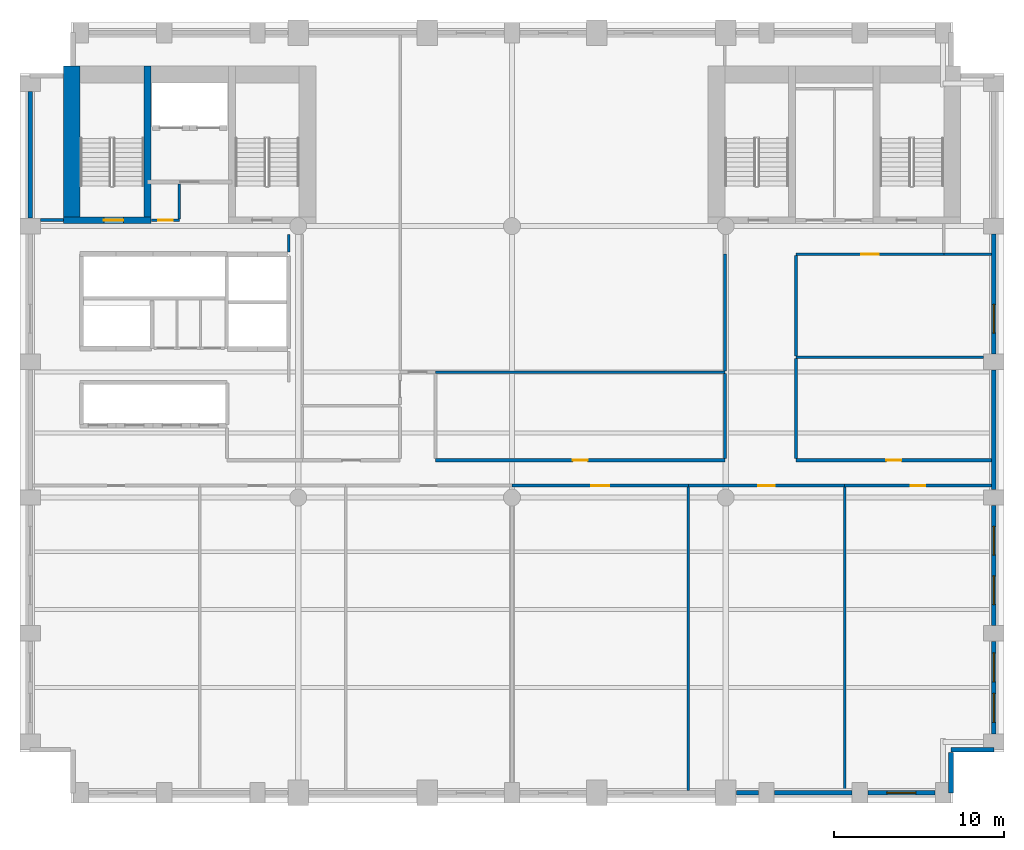
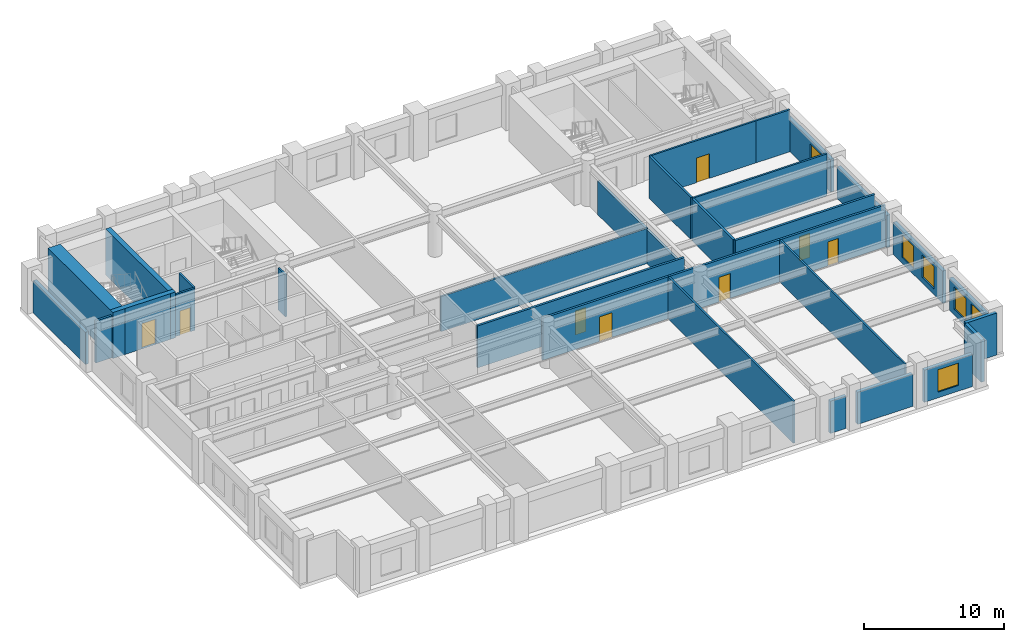
# One storey, part 4 of 8: 32 walls, 8 doors, 6 windows, 14 openings.
"""IFC4 building model written with IfcOpenShell, lengths in metres."""

from ifc_helpers import new_model, si_unit, direction, frame, frame_2d, origin, place, context, subcontext, project, spatial, rectangle, extrude, material, layer, layer_set, type_object, element, fill, save


model = new_model("IFC4")

# Units and contexts
model_context = context("Model", 3, precision=1e-05, world=origin(), true_north=direction((0.0, 1.0)))
body_context = subcontext(model_context, "Body", "Model", "MODEL_VIEW")
ifc_project = project(units=[si_unit("LENGTHUNIT", "METRE"), si_unit("AREAUNIT", "SQUARE_METRE"), si_unit("VOLUMEUNIT", "CUBIC_METRE"), si_unit("PLANEANGLEUNIT", "RADIAN"), si_unit("MASSUNIT", "GRAM", prefix="KILO")], contexts=[model_context])

# Site, building, storey
site_placement = place(None, origin())
site = spatial("IfcSite", under=ifc_project, at=site_placement, CompositionType="ELEMENT")
building_placement = place(site_placement, origin())
building = spatial("IfcBuilding", under=site, at=building_placement, Name="Sulina Concourse Tower", CompositionType="ELEMENT")
storey_placement = place(building_placement, frame((0.0, 0.0, 78.60009765625)))
storey = spatial("IfcBuildingStorey", under=building, at=storey_placement, Name="L19", CompositionType="ELEMENT", Elevation=78.60009765625)

# Walls
ifc_material_1 = material(Name="Gypsum board on steel stud", Category="steel")
ifc_layer_1 = layer(ifc_material_1, 0.14990234375)
ifc_layer_set_1 = layer_set([ifc_layer_1], Name="Gypsum board on steel stud")
wall_type_1 = type_object("IfcWallType", Name="Inter-Tenancy Acoustic Partition 150mm", PredefinedType="PARTITIONING", material=ifc_layer_set_1)
wall_1_placement = place(storey_placement, frame((24.5, 25.39990234375, 0.0), z_axis=(0.0, 0.0, 1.0), x_axis=(1.0, 0.0, 0.0)))
element("IfcWall", 1, at=wall_1_placement, inside=storey, type_object=wall_type_1, Name="L19 interior partition 013", PredefinedType="PARTITIONING", context=body_context, shape_type="SweptSolid", body=[
    extrude(rectangle(XDim=17.050048828125, YDim=0.14990234375, at=frame_2d((8.52490234375, 0.0))), origin(), (0.0, 0.0, 1.0), 3.054931640625),
])
wall_2_placement = place(storey_placement, frame((45.75, 26.27001953125, 0.0), z_axis=(0.0, 0.0, 1.0), x_axis=(1.0, 0.0, 0.0)))
element("IfcWall", 2, at=wall_2_placement, inside=storey, type_object=wall_type_1, Name="L19 interior partition 014", PredefinedType="PARTITIONING", context=body_context, shape_type="SweptSolid", body=[
    extrude(rectangle(XDim=11.050048828125, YDim=0.14990234375, at=frame_2d((5.52490234375, 0.0))), origin(), (0.0, 0.0, 1.0), 3.659912109375),
])

# Wall, opening, door
wall_3_placement = place(storey_placement, frame((45.75, 32.35009765625, 0.0), z_axis=(0.0, 0.0, 1.0), x_axis=(1.0, 0.0, 0.0)))
wall_3 = element("IfcWall", 3, at=wall_3_placement, inside=storey, type_object=wall_type_1, Name="L19 interior partition 018", PredefinedType="PARTITIONING", context=body_context, shape_type="SweptSolid", body=[
    extrude(rectangle(XDim=8.699951171875, YDim=0.14990234375, at=frame_2d((4.35009765625, 0.0))), origin(), (0.0, 0.0, 1.0), 3.659912109375),
])
opening_1_placement = place(wall_3_placement, frame((3.824951171875, 0.0, 0.0)))
opening_1 = element("IfcOpeningElement", 4, at=opening_1_placement, cuts=wall_3, Name="Opening DR-37", PredefinedType="OPENING", context=body_context, shape_type="SweptSolid", body=[
    extrude(rectangle(XDim=1.050048828125, YDim=2.14990234375, at=frame_2d((0.52490234375, 1.074951171875))), frame((0.0, 0.0849609375, 0.0), z_axis=(0.0, -1.0, 0.0), x_axis=(1.0, 0.0, 0.0)), (0.0, 0.0, 1.0), 0.169921875),
])
ifc_material_2 = material(Name="Oak-veneered fire door leaf")
ifc_layer_2 = layer(ifc_material_2, 0.050048828125)
ifc_layer_set_2 = layer_set([ifc_layer_2], Name="Oak-veneered fire door leaf")
door_type_1 = type_object("IfcDoorType", Name="Tenant Suite Entrance Fire Door 1050x2150", OperationType="NOTDEFINED", PredefinedType="DOOR", material=ifc_layer_set_2)
door_1_placement = place(opening_1_placement, origin())
door_1 = element("IfcDoor", 5, at=door_1_placement, inside=storey, type_object=door_type_1, Name="L19 interior door L19-NE2", OperationType="SINGLE_SWING_RIGHT", OverallHeight=2.14990234375, OverallWidth=1.050048828125, PredefinedType="DOOR", context=body_context, shape_type="SweptSolid", body=[
    extrude(rectangle(XDim=1.050048828125, YDim=2.14990234375, at=frame_2d((0.52490234375, 1.074951171875))), frame((0.0, 0.02490234375, 0.0), z_axis=(0.0, -1.0, 0.0), x_axis=(1.0, 0.0, 0.0)), (0.0, 0.0, 1.0), 0.050048828125),
])
fill(opening_1, door_1)

# Wall
wall_4_placement = place(storey_placement, frame((54.449951171875, 32.35009765625, 0.0), z_axis=(0.0, 0.0, 1.0), x_axis=(1.0, 0.0, 0.0)))
element("IfcWall", 6, at=wall_4_placement, inside=storey, type_object=wall_type_1, Name="L19 interior partition 019", PredefinedType="PARTITIONING", context=body_context, shape_type="SweptSolid", body=[
    extrude(rectangle(XDim=2.81005859375, YDim=0.14990234375, at=frame_2d((1.405029296875, 0.0))), origin(), (0.0, 0.0, 1.0), 3.659912109375),
])

# Wall, opening, door
wall_5_placement = place(storey_placement, frame((7.75, 34.35009765625, 0.0), z_axis=(0.0, 0.0, 1.0), x_axis=(1.0, 0.0, 0.0)))
wall_5 = element("IfcWall", 7, at=wall_5_placement, inside=storey, type_object=wall_type_1, Name="L19 interior partition 021", PredefinedType="PARTITIONING", context=body_context, shape_type="SweptSolid", body=[
    extrude(rectangle(XDim=1.64990234375, YDim=0.14990234375, at=frame_2d((0.824951171875, 0.0))), origin(), (0.0, 0.0, 1.0), 3.659912109375),
])
opening_2_placement = place(wall_5_placement, frame((0.385009765625, 0.0, 0.0)))
opening_2 = element("IfcOpeningElement", 8, at=opening_2_placement, cuts=wall_5, Name="Opening DR-38", PredefinedType="OPENING", context=body_context, shape_type="SweptSolid", body=[
    extrude(rectangle(XDim=0.8798828125, YDim=2.10009765625, at=frame_2d((0.43994140625, 1.050048828125))), frame((0.0, 0.0849609375, 0.0), z_axis=(0.0, -1.0, 0.0), x_axis=(1.0, 0.0, 0.0)), (0.0, 0.0, 1.0), 0.169921875),
])
ifc_material_3 = material(Name="Galvanised steel acoustic fire leaf", Category="steel")
ifc_layer_3 = layer(ifc_material_3, 0.050048828125)
ifc_layer_set_3 = layer_set([ifc_layer_3], Name="Galvanised steel acoustic fire leaf")
door_type_2 = type_object("IfcDoorType", Name="Service Riser Fire Door 880x2100", OperationType="NOTDEFINED", PredefinedType="DOOR", material=ifc_layer_set_3)
door_2_placement = place(opening_2_placement, origin())
door_2 = element("IfcDoor", 9, at=door_2_placement, inside=storey, type_object=door_type_2, Name="L19 interior door L19-CLN-N", OperationType="SINGLE_SWING_LEFT", OverallHeight=2.10009765625, OverallWidth=0.8798828125, PredefinedType="DOOR", context=body_context, shape_type="SweptSolid", body=[
    extrude(rectangle(XDim=0.8798828125, YDim=2.10009765625, at=frame_2d((0.43994140625, 1.050048828125))), frame((0.0, 0.02490234375, 0.0), z_axis=(0.0, -1.0, 0.0), x_axis=(1.0, 0.0, 0.0)), (0.0, 0.0, 1.0), 0.050048828125),
])
fill(opening_2, door_2)

# Walls
wall_6_placement = place(storey_placement, frame((9.39990234375, 34.425048828125, 0.0), z_axis=(0.0, 0.0, 1.0), x_axis=(0.0, 1.0, 0.0)))
element("IfcWall", 10, at=wall_6_placement, inside=storey, type_object=wall_type_1, Name="L19 interior partition 025", PredefinedType="PARTITIONING", context=body_context, shape_type="SweptSolid", body=[
    extrude(rectangle(XDim=2.06494140625, YDim=0.14990234375, at=frame_2d((1.032470703125, 0.0))), origin(), (0.0, 0.0, 1.0), 3.659912109375),
])
wall_7_placement = place(storey_placement, frame((15.85009765625, 32.469970703125, 0.0), z_axis=(0.0, 0.0, 1.0), x_axis=(0.0, 1.0, 0.0)))
element("IfcWall", 11, at=wall_7_placement, inside=storey, type_object=wall_type_1, Name="L19 interior partition 030", PredefinedType="PARTITIONING", context=body_context, shape_type="SweptSolid", body=[
    extrude(rectangle(XDim=1.030029296875, YDim=0.14990234375, at=frame_2d((0.51513671875, 0.0))), origin(), (0.0, 0.0, 1.0), 3.659912109375),
])
for number, where, z_axis, x_axis, name in (
    (12, (39.39990234375, 0.739990234375, 0.0), (0.0, 0.0, 1.0), (0.0, 1.0, 0.0), "L19 interior partition 039"),
    (13, (48.60009765625, 0.739990234375, 0.0), (0.0, 0.0, 1.0), (0.0, 1.0, 0.0), "L19 interior partition 047"),
):
    element("IfcWall", number, at=place(storey_placement, frame(where, z_axis=z_axis, x_axis=x_axis)), inside=storey, type_object=wall_type_1, Name=name, PredefinedType="PARTITIONING", context=body_context, shape_type="SweptSolid", body=[
        extrude(rectangle(XDim=17.8701171875, YDim=0.14990234375, at=frame_2d((8.93505859375, 0.0))), origin(), (0.0, 0.0, 1.0), 3.659912109375),
    ])

# Wall, opening, door
ifc_material_4 = material(Name="Gypsum board on steel stud", Category="steel")
ifc_layer_4 = layer(ifc_material_4, 0.179931640625)
ifc_layer_set_4 = layer_set([ifc_layer_4], Name="Gypsum board on steel stud")
wall_type_2 = type_object("IfcWallType", Name="Protected Corridor & Riser Partition 180mm", PredefinedType="PARTITIONING", material=ifc_layer_set_4)
wall_8_placement = place(storey_placement, frame((29.0, 18.699951171875, 0.0), z_axis=(0.0, 0.0, 1.0), x_axis=(1.0, 0.0, 0.0)))
wall_8 = element("IfcWall", 14, at=wall_8_placement, inside=storey, type_object=wall_type_2, Name="L19 interior partition 004", PredefinedType="PARTITIONING", context=body_context, shape_type="SweptSolid", body=[
    extrude(rectangle(XDim=10.39990234375, YDim=0.179931640625, at=frame_2d((5.199951171875, 0.0))), origin(), (0.0, 0.0, 1.0), 3.659912109375),
])
opening_3_placement = place(wall_8_placement, frame((4.675048828125, 0.0, 0.0)))
opening_3 = element("IfcOpeningElement", 15, at=opening_3_placement, cuts=wall_8, Name="Opening DR-37", PredefinedType="OPENING", context=body_context, shape_type="SweptSolid", body=[
    extrude(rectangle(XDim=1.050048828125, YDim=2.14990234375, at=frame_2d((0.52490234375, 1.074951171875))), frame((0.0, 0.099853515625, 0.0), z_axis=(0.0, -1.0, 0.0), x_axis=(1.0, 0.0, 0.0)), (0.0, 0.0, 1.0), 0.199951171875),
])
door_3_placement = place(opening_3_placement, origin())
door_3 = element("IfcDoor", 16, at=door_3_placement, inside=storey, type_object=door_type_1, Name="L19 interior door L19-S04", OperationType="SINGLE_SWING_RIGHT", OverallHeight=2.14990234375, OverallWidth=1.050048828125, PredefinedType="DOOR", context=body_context, shape_type="SweptSolid", body=[
    extrude(rectangle(XDim=1.050048828125, YDim=2.14990234375, at=frame_2d((0.52490234375, 1.074951171875))), frame((0.0, 0.02490234375, 0.0), z_axis=(0.0, -1.0, 0.0), x_axis=(1.0, 0.0, 0.0)), (0.0, 0.0, 1.0), 0.050048828125),
])
fill(opening_3, door_3)

wall_9_placement = place(storey_placement, frame((39.39990234375, 18.699951171875, 0.0), z_axis=(0.0, 0.0, 1.0), x_axis=(1.0, 0.0, 0.0)))
wall_9 = element("IfcWall", 17, at=wall_9_placement, inside=storey, type_object=wall_type_2, Name="L19 interior partition 005", PredefinedType="PARTITIONING", context=body_context, shape_type="SweptSolid", body=[
    extrude(rectangle(XDim=9.2001953125, YDim=0.179931640625, at=frame_2d((4.60009765625, 0.0))), origin(), (0.0, 0.0, 1.0), 3.659912109375),
])
opening_4_placement = place(wall_9_placement, frame((4.125, 0.0, 0.0)))
opening_4 = element("IfcOpeningElement", 18, at=opening_4_placement, cuts=wall_9, Name="Opening DR-19", PredefinedType="OPENING", context=body_context, shape_type="SweptSolid", body=[
    extrude(rectangle(XDim=0.949951171875, YDim=2.14990234375, at=frame_2d((0.47509765625, 1.074951171875))), frame((0.0, 0.099853515625, 0.0), z_axis=(0.0, -1.0, 0.0), x_axis=(1.0, 0.0, 0.0)), (0.0, 0.0, 1.0), 0.199951171875),
])
ifc_material_5 = material(Name="Oak-veneered acoustic timber leaf", Category="wood")
ifc_layer_5 = layer(ifc_material_5, 0.050048828125)
ifc_layer_set_5 = layer_set([ifc_layer_5], Name="Oak-veneered acoustic timber leaf")
door_type_3 = type_object("IfcDoorType", Name="Cellular Office & Meeting Door 950x2150", OperationType="NOTDEFINED", PredefinedType="DOOR", material=ifc_layer_set_5)
door_4_placement = place(opening_4_placement, origin())
door_4 = element("IfcDoor", 19, at=door_4_placement, inside=storey, type_object=door_type_3, Name="L19 interior door L19-S05", OperationType="SINGLE_SWING_LEFT", OverallHeight=2.14990234375, OverallWidth=0.949951171875, PredefinedType="DOOR", context=body_context, shape_type="SweptSolid", body=[
    extrude(rectangle(XDim=0.949951171875, YDim=2.14990234375, at=frame_2d((0.47509765625, 1.074951171875))), frame((0.0, 0.02490234375, 0.0), z_axis=(0.0, -1.0, 0.0), x_axis=(1.0, 0.0, 0.0)), (0.0, 0.0, 1.0), 0.050048828125),
])
fill(opening_4, door_4)

wall_10_placement = place(storey_placement, frame((48.60009765625, 18.699951171875, 0.0), z_axis=(0.0, 0.0, 1.0), x_axis=(1.0, 0.0, 0.0)))
wall_10 = element("IfcWall", 20, at=wall_10_placement, inside=storey, type_object=wall_type_2, Name="L19 interior partition 006", PredefinedType="PARTITIONING", context=body_context, shape_type="SweptSolid", body=[
    extrude(rectangle(XDim=8.659912109375, YDim=0.179931640625, at=frame_2d((4.330078125, 0.0))), origin(), (0.0, 0.0, 1.0), 3.659912109375),
])
opening_5_placement = place(wall_10_placement, frame((3.889892578125, 0.0, 0.0)))
opening_5 = element("IfcOpeningElement", 21, at=opening_5_placement, cuts=wall_10, Name="Opening DR-38", PredefinedType="OPENING", context=body_context, shape_type="SweptSolid", body=[
    extrude(rectangle(XDim=0.8798828125, YDim=2.10009765625, at=frame_2d((0.43994140625, 1.050048828125))), frame((0.0, 0.099853515625, 0.0), z_axis=(0.0, -1.0, 0.0), x_axis=(1.0, 0.0, 0.0)), (0.0, 0.0, 1.0), 0.199951171875),
])
door_5_placement = place(opening_5_placement, origin())
door_5 = element("IfcDoor", 22, at=door_5_placement, inside=storey, type_object=door_type_2, Name="L19 interior door L19-S06", OperationType="SINGLE_SWING_RIGHT", OverallHeight=2.10009765625, OverallWidth=0.8798828125, PredefinedType="DOOR", context=body_context, shape_type="SweptSolid", body=[
    extrude(rectangle(XDim=0.8798828125, YDim=2.10009765625, at=frame_2d((0.43994140625, 1.050048828125))), frame((0.0, 0.02490234375, 0.0), z_axis=(0.0, -1.0, 0.0), x_axis=(1.0, 0.0, 0.0)), (0.0, 0.0, 1.0), 0.050048828125),
])
fill(opening_5, door_5)

wall_11_placement = place(storey_placement, frame((24.5, 20.199951171875, 0.0), z_axis=(0.0, 0.0, 1.0), x_axis=(1.0, 0.0, 0.0)))
wall_11 = element("IfcWall", 23, at=wall_11_placement, inside=storey, type_object=wall_type_2, Name="L19 interior partition 009", PredefinedType="PARTITIONING", context=body_context, shape_type="SweptSolid", body=[
    extrude(rectangle(XDim=17.050048828125, YDim=0.179931640625, at=frame_2d((8.52490234375, 0.0))), origin(), (0.0, 0.0, 1.0), 3.659912109375),
])
opening_6_placement = place(wall_11_placement, frame((8.0849609375, 0.0, 0.0)))
opening_6 = element("IfcOpeningElement", 24, at=opening_6_placement, cuts=wall_11, Name="Opening DR-38", PredefinedType="OPENING", context=body_context, shape_type="SweptSolid", body=[
    extrude(rectangle(XDim=0.8798828125, YDim=2.10009765625, at=frame_2d((0.43994140625, 1.050048828125))), frame((0.0, 0.099853515625, 0.0), z_axis=(0.0, -1.0, 0.0), x_axis=(1.0, 0.0, 0.0)), (0.0, 0.0, 1.0), 0.199951171875),
])
door_6_placement = place(opening_6_placement, origin())
door_6 = element("IfcDoor", 25, at=door_6_placement, inside=storey, type_object=door_type_2, Name="L19 interior door L19-NC3", OperationType="SINGLE_SWING_RIGHT", OverallHeight=2.10009765625, OverallWidth=0.8798828125, PredefinedType="DOOR", context=body_context, shape_type="SweptSolid", body=[
    extrude(rectangle(XDim=0.8798828125, YDim=2.10009765625, at=frame_2d((0.43994140625, 1.050048828125))), frame((0.0, 0.02490234375, 0.0), z_axis=(0.0, -1.0, 0.0), x_axis=(1.0, 0.0, 0.0)), (0.0, 0.0, 1.0), 0.050048828125),
])
fill(opening_6, door_6)

wall_12_placement = place(storey_placement, frame((45.75, 20.199951171875, 0.0), z_axis=(0.0, 0.0, 1.0), x_axis=(1.0, 0.0, 0.0)))
wall_12 = element("IfcWall", 26, at=wall_12_placement, inside=storey, type_object=wall_type_2, Name="L19 interior partition 010", PredefinedType="PARTITIONING", context=body_context, shape_type="SweptSolid", body=[
    extrude(rectangle(XDim=11.510009765625, YDim=0.179931640625, at=frame_2d((5.7548828125, 0.0))), origin(), (0.0, 0.0, 1.0), 3.659912109375),
])
opening_7_placement = place(wall_12_placement, frame((5.31494140625, 0.0, 0.0)))
opening_7 = element("IfcOpeningElement", 27, at=opening_7_placement, cuts=wall_12, Name="Opening DR-38", PredefinedType="OPENING", context=body_context, shape_type="SweptSolid", body=[
    extrude(rectangle(XDim=0.8798828125, YDim=2.10009765625, at=frame_2d((0.43994140625, 1.050048828125))), frame((0.0, 0.099853515625, 0.0), z_axis=(0.0, -1.0, 0.0), x_axis=(1.0, 0.0, 0.0)), (0.0, 0.0, 1.0), 0.199951171875),
])
door_7_placement = place(opening_7_placement, origin())
door_7 = element("IfcDoor", 28, at=door_7_placement, inside=storey, type_object=door_type_2, Name="L19 interior door L19-NE1", OperationType="SINGLE_SWING_LEFT", OverallHeight=2.10009765625, OverallWidth=0.8798828125, PredefinedType="DOOR", context=body_context, shape_type="SweptSolid", body=[
    extrude(rectangle(XDim=0.8798828125, YDim=2.10009765625, at=frame_2d((0.43994140625, 1.050048828125))), frame((0.0, 0.02490234375, 0.0), z_axis=(0.0, -1.0, 0.0), x_axis=(1.0, 0.0, 0.0)), (0.0, 0.0, 1.0), 0.050048828125),
])
fill(opening_7, door_7)

# Walls
wall_13_placement = place(storey_placement, frame((1.199951171875, 34.35009765625, 0.0), z_axis=(0.0, 0.0, 1.0), x_axis=(1.0, 0.0, 0.0)))
element("IfcWall", 29, at=wall_13_placement, inside=storey, type_object=wall_type_2, Name="L19 interior partition 020", PredefinedType="PARTITIONING", context=body_context, shape_type="SweptSolid", body=[
    extrude(rectangle(XDim=1.35009765625, YDim=0.179931640625, at=frame_2d((0.675048828125, 0.0))), origin(), (0.0, 0.0, 1.0), 3.659912109375),
])
wall_14_placement = place(storey_placement, frame((41.550048828125, 20.2900390625, 0.0), z_axis=(0.0, 0.0, 1.0), x_axis=(0.0, 1.0, 0.0)))
element("IfcWall", 30, at=wall_14_placement, inside=storey, type_object=wall_type_2, Name="L19 interior partition 040", PredefinedType="PARTITIONING", context=body_context, shape_type="SweptSolid", body=[
    extrude(rectangle(XDim=5.034912109375, YDim=0.179931640625, at=frame_2d((2.517578125, 0.0))), origin(), (0.0, 0.0, 1.0), 2.954833984375),
])
wall_15_placement = place(storey_placement, frame((41.550048828125, 25.47509765625, 0.0), z_axis=(0.0, 0.0, 1.0), x_axis=(0.0, 1.0, 0.0)))
element("IfcWall", 31, at=wall_15_placement, inside=storey, type_object=wall_type_2, Name="L19 interior partition 041", PredefinedType="PARTITIONING", context=body_context, shape_type="SweptSolid", body=[
    extrude(rectangle(XDim=6.875, YDim=0.179931640625, at=frame_2d((3.4375, 0.0))), origin(), (0.0, 0.0, 1.0), 2.954833984375),
])
wall_16_placement = place(storey_placement, frame((45.75, 20.2900390625, 0.0), z_axis=(0.0, 0.0, 1.0), x_axis=(0.0, 1.0, 0.0)))
element("IfcWall", 32, at=wall_16_placement, inside=storey, type_object=wall_type_2, Name="L19 interior partition 044", PredefinedType="PARTITIONING", context=body_context, shape_type="SweptSolid", body=[
    extrude(rectangle(XDim=5.905029296875, YDim=0.179931640625, at=frame_2d((2.95263671875, 0.0))), origin(), (0.0, 0.0, 1.0), 3.659912109375),
])
wall_17_placement = place(storey_placement, frame((45.75, 26.344970703125, 0.0), z_axis=(0.0, 0.0, 1.0), x_axis=(0.0, 1.0, 0.0)))
element("IfcWall", 33, at=wall_17_placement, inside=storey, type_object=wall_type_2, Name="L19 interior partition 045", PredefinedType="PARTITIONING", context=body_context, shape_type="SweptSolid", body=[
    extrude(rectangle(XDim=5.929931640625, YDim=0.179931640625, at=frame_2d((2.96484375, 0.0))), origin(), (0.0, 0.0, 1.0), 3.659912109375),
])

# Wall, opening, door
ifc_material_6 = material(Name="Concrete C60/75", Category="concrete")
ifc_layer_6 = layer(ifc_material_6, 0.39990234375)
ifc_layer_set_6 = layer_set([ifc_layer_6], Name="Concrete C60/75")
wall_type_3 = type_object("IfcWallType", Name="Protected Stair Core Shear Wall 400mm", PredefinedType="SHEAR", material=ifc_layer_set_6)
wall_18_placement = place(storey_placement, frame((2.550048828125, 34.35009765625, 0.0), z_axis=(0.0, 0.0, 1.0), x_axis=(1.0, 0.0, 0.0)))
wall_18 = element("IfcWall", 34, at=wall_18_placement, inside=storey, type_object=wall_type_3, Name="L19 west core shear wall CW-WS1", PredefinedType="SHEAR", context=body_context, shape_type="SweptSolid", body=[
    extrude(rectangle(XDim=5.159912109375, YDim=0.39990234375, at=frame_2d((2.580078125, 0.0))), origin(), (0.0, 0.0, 1.0), 4.0),
])
opening_8_placement = place(wall_18_placement, frame((2.39990234375, 0.0, 0.0)))
opening_8 = element("IfcOpeningElement", 35, at=opening_8_placement, cuts=wall_18, Name="Opening DR-60", PredefinedType="OPENING", context=body_context, shape_type="SweptSolid", body=[
    extrude(rectangle(XDim=1.14990234375, YDim=2.199951171875, at=frame_2d((0.574951171875, 1.10009765625))), frame((0.0, 0.2099609375, 0.0), z_axis=(0.0, -1.0, 0.0), x_axis=(1.0, 0.0, 0.0)), (0.0, 0.0, 1.0), 0.419921875),
])
ifc_material_7 = material(Name="Galvanised steel acoustic fire leaf", Category="steel")
ifc_layer_7 = layer(ifc_material_7, 0.054931640625)
ifc_layer_set_7 = layer_set([ifc_layer_7], Name="Galvanised steel acoustic fire leaf")
door_type_4 = type_object("IfcDoorType", Name="Protected Exit Stair Fire Door 1150x2200", OperationType="NOTDEFINED", PredefinedType="DOOR", material=ifc_layer_set_7)
door_8_placement = place(opening_8_placement, origin())
door_8 = element("IfcDoor", 36, at=door_8_placement, inside=storey, type_object=door_type_4, Name="L19 stair ST-1 lobby fire door", OperationType="SINGLE_SWING_RIGHT", OverallHeight=2.199951171875, OverallWidth=1.14990234375, PredefinedType="DOOR", context=body_context, shape_type="SweptSolid", body=[
    extrude(rectangle(XDim=1.14990234375, YDim=2.199951171875, at=frame_2d((0.574951171875, 1.10009765625))), frame((0.0, 0.02490234375, 0.0), z_axis=(0.0, -1.0, 0.0), x_axis=(1.0, 0.0, 0.0)), (0.0, 0.0, 1.0), 0.050048828125),
])
fill(opening_8, door_8)

# Walls
wall_19_placement = place(storey_placement, frame((7.510009765625, 34.14990234375, 0.0), z_axis=(0.0, 0.0, 1.0), x_axis=(0.0, 1.0, 0.0)))
element("IfcWall", 37, at=wall_19_placement, inside=storey, type_object=wall_type_3, Name="L19 west core shear wall SW-ST1", PredefinedType="SHEAR", context=body_context, shape_type="SweptSolid", body=[
    extrude(rectangle(XDim=9.280029296875, YDim=0.39990234375, at=frame_2d((4.64013671875, 0.0))), origin(), (0.0, 0.0, 1.0), 4.0),
])
ifc_material_8 = material(Name="Concrete C80/95", Category="concrete")
ifc_layer_8 = layer(ifc_material_8, 1.0)
ifc_layer_set_8 = layer_set([ifc_layer_8], Name="Concrete C80/95")
wall_type_4 = type_object("IfcWallType", Name="Rear Core Shear Wall 1000mm", PredefinedType="SHEAR", material=ifc_layer_set_8)
wall_20_placement = place(storey_placement, frame((3.050048828125, 34.14990234375, 0.0), z_axis=(0.0, 0.0, 1.0), x_axis=(0.0, 1.0, 0.0)))
element("IfcWall", 38, at=wall_20_placement, inside=storey, type_object=wall_type_4, Name="L19 west core shear wall CW-WW", PredefinedType="SHEAR", context=body_context, shape_type="SweptSolid", body=[
    extrude(rectangle(XDim=9.280029296875, YDim=1.0, at=frame_2d((4.64013671875, 0.0))), origin(), (0.0, 0.0, 1.0), 4.0),
])
ifc_material_9 = material(Name="Precast concrete C50/60", Category="concrete")
ifc_layer_9 = layer(ifc_material_9, 0.280029296875)
ifc_layer_set_9 = layer_set([ifc_layer_9], Name="Precast concrete C50/60")
wall_type_5 = type_object("IfcWallType", Name="Typical Precast Masonry-Frame Facade Wall 280mm", PredefinedType="SOLIDWALL", material=ifc_layer_set_9)
wall_21_placement = place(storey_placement, frame((43.530029296875, 0.60009765625, 0.0), z_axis=(0.0, 0.0, 1.0), x_axis=(-1.0, 0.0, 0.0)))
element("IfcWall", 39, at=wall_21_placement, inside=storey, type_object=wall_type_5, Name="L19 exterior precast wall S8", PredefinedType="SOLIDWALL", context=body_context, shape_type="SweptSolid", body=[
    extrude(rectangle(XDim=1.31005859375, YDim=0.280029296875, at=frame_2d((0.655029296875, 0.0))), origin(), (0.0, 0.0, 1.0), 2.809814453125),
])
wall_22_placement = place(storey_placement, frame((49.030029296875, 0.60009765625, 0.0), z_axis=(0.0, 0.0, 1.0), x_axis=(-1.0, 0.0, 0.0)))
element("IfcWall", 40, at=wall_22_placement, inside=storey, type_object=wall_type_5, Name="L19 exterior precast wall S9", PredefinedType="SOLIDWALL", context=body_context, shape_type="SweptSolid", body=[
    extrude(rectangle(XDim=4.56005859375, YDim=0.280029296875, at=frame_2d((2.280029296875, 0.0))), origin(), (0.0, 0.0, 1.0), 2.809814453125),
])

# Wall, opening, window
wall_23_placement = place(storey_placement, frame((53.929931640625, 0.60009765625, 0.0), z_axis=(0.0, 0.0, 1.0), x_axis=(-1.0, 0.0, 0.0)))
wall_23 = element("IfcWall", 41, at=wall_23_placement, inside=storey, type_object=wall_type_5, Name="L19 exterior precast wall S10", PredefinedType="SOLIDWALL", context=body_context, shape_type="SweptSolid", body=[
    extrude(rectangle(XDim=3.9599609375, YDim=0.280029296875, at=frame_2d((1.97998046875, 0.0))), origin(), (0.0, 0.0, 1.0), 2.809814453125),
])
opening_9_placement = place(wall_23_placement, frame((1.1298828125, 0.0, 0.5)))
opening_9 = element("IfcOpeningElement", 42, at=opening_9_placement, cuts=wall_23, Name="Opening WN-66", PredefinedType="OPENING", context=body_context, shape_type="SweptSolid", body=[
    extrude(rectangle(XDim=1.699951171875, YDim=1.949951171875, at=frame_2d((0.85009765625, 0.97509765625))), frame((0.0, 0.14990234375, 0.0), z_axis=(0.0, -1.0, 0.0), x_axis=(1.0, 0.0, 0.0)), (0.0, 0.0, 1.0), 0.300048828125),
])
ifc_material_10 = material(Name="Low-E solar double glazing in bronze aluminium", Category="aluminium")
window_type = type_object("IfcWindowType", Name="Recessed Spandrel Window 1700x1950", PartitioningType="SINGLE_PANEL", PredefinedType="WINDOW", material=ifc_material_10)
window_1_placement = place(opening_9_placement, origin())
window_1 = element("IfcWindow", 43, at=window_1_placement, inside=storey, type_object=window_type, Name="L19 punched window S10-1", OverallHeight=1.949951171875, OverallWidth=1.699951171875, PartitioningType="SINGLE_PANEL", PredefinedType="WINDOW", context=body_context, shape_type="SweptSolid", body=[
    extrude(rectangle(XDim=1.699951171875, YDim=1.949951171875, at=frame_2d((0.85009765625, 0.97509765625))), frame((0.0, 0.030029296875, 0.0), z_axis=(0.0, -1.0, 0.0), x_axis=(1.0, 0.0, 0.0)), (0.0, 0.0, 1.0), 0.06005859375),
])
fill(opening_9, window_1)

# Wall
wall_24_placement = place(storey_placement, frame((0.60009765625, 34.469970703125, 0.0), z_axis=(0.0, 0.0, 1.0), x_axis=(0.0, 1.0, 0.0)))
element("IfcWall", 44, at=wall_24_placement, inside=storey, type_object=wall_type_5, Name="L19 exterior precast wall W5", PredefinedType="SOLIDWALL", context=body_context, shape_type="SweptSolid", body=[
    extrude(rectangle(XDim=7.4599609375, YDim=0.280029296875, at=frame_2d((3.72998046875, 0.0))), origin(), (0.0, 0.0, 1.0), 2.809814453125),
])

# Wall, openings, windows
wall_25_placement = place(storey_placement, frame((57.39990234375, 9.530029296875, 0.0), z_axis=(0.0, 0.0, 1.0), x_axis=(0.0, -1.0, 0.0)))
wall_25 = element("IfcWall", 45, at=wall_25_placement, inside=storey, type_object=wall_type_5, Name="L19 exterior precast wall E1", PredefinedType="SOLIDWALL", context=body_context, shape_type="SweptSolid", body=[
    extrude(rectangle(XDim=5.4599609375, YDim=0.280029296875, at=frame_2d((2.72998046875, 0.0))), origin(), (0.0, 0.0, 1.0), 2.809814453125),
])
opening_10_placement = place(wall_25_placement, frame((0.686767578125, 0.0, 0.5)))
opening_10 = element("IfcOpeningElement", 46, at=opening_10_placement, cuts=wall_25, Name="Opening WN-66", PredefinedType="OPENING", context=body_context, shape_type="SweptSolid", body=[
    extrude(rectangle(XDim=1.699951171875, YDim=1.949951171875, at=frame_2d((0.85009765625, 0.97509765625))), frame((0.0, 0.14990234375, 0.0), z_axis=(0.0, -1.0, 0.0), x_axis=(1.0, 0.0, 0.0)), (0.0, 0.0, 1.0), 0.300048828125),
])
opening_11_placement = place(wall_25_placement, frame((3.0732421875, 0.0, 0.5)))
opening_11 = element("IfcOpeningElement", 47, at=opening_11_placement, cuts=wall_25, Name="Opening WN-66", PredefinedType="OPENING", context=body_context, shape_type="SweptSolid", body=[
    extrude(rectangle(XDim=1.699951171875, YDim=1.949951171875, at=frame_2d((0.85009765625, 0.97509765625))), frame((0.0, 0.14990234375, 0.0), z_axis=(0.0, -1.0, 0.0), x_axis=(1.0, 0.0, 0.0)), (0.0, 0.0, 1.0), 0.300048828125),
])
window_2_placement = place(opening_10_placement, origin())
window_2 = element("IfcWindow", 48, at=window_2_placement, inside=storey, type_object=window_type, Name="L19 punched window E1-1", OverallHeight=1.949951171875, OverallWidth=1.699951171875, PartitioningType="SINGLE_PANEL", PredefinedType="WINDOW", context=body_context, shape_type="SweptSolid", body=[
    extrude(rectangle(XDim=1.699951171875, YDim=1.949951171875, at=frame_2d((0.85009765625, 0.97509765625))), frame((0.0, 0.030029296875, 0.0), z_axis=(0.0, -1.0, 0.0), x_axis=(1.0, 0.0, 0.0)), (0.0, 0.0, 1.0), 0.06005859375),
])
fill(opening_10, window_2)
window_3_placement = place(opening_11_placement, origin())
window_3 = element("IfcWindow", 49, at=window_3_placement, inside=storey, type_object=window_type, Name="L19 punched window E1-2", OverallHeight=1.949951171875, OverallWidth=1.699951171875, PartitioningType="SINGLE_PANEL", PredefinedType="WINDOW", context=body_context, shape_type="SweptSolid", body=[
    extrude(rectangle(XDim=1.699951171875, YDim=1.949951171875, at=frame_2d((0.85009765625, 0.97509765625))), frame((0.0, 0.030029296875, 0.0), z_axis=(0.0, -1.0, 0.0), x_axis=(1.0, 0.0, 0.0)), (0.0, 0.0, 1.0), 0.06005859375),
])
fill(opening_11, window_3)

wall_26_placement = place(storey_placement, frame((57.39990234375, 17.530029296875, 0.0), z_axis=(0.0, 0.0, 1.0), x_axis=(0.0, -1.0, 0.0)))
wall_26 = element("IfcWall", 50, at=wall_26_placement, inside=storey, type_object=wall_type_5, Name="L19 exterior precast wall E2", PredefinedType="SOLIDWALL", context=body_context, shape_type="SweptSolid", body=[
    extrude(rectangle(XDim=7.06005859375, YDim=0.280029296875, at=frame_2d((3.530029296875, 0.0))), origin(), (0.0, 0.0, 1.0), 2.809814453125),
])
opening_12_placement = place(wall_26_placement, frame((1.219970703125, 0.0, 0.5)))
opening_12 = element("IfcOpeningElement", 51, at=opening_12_placement, cuts=wall_26, Name="Opening WN-66", PredefinedType="OPENING", context=body_context, shape_type="SweptSolid", body=[
    extrude(rectangle(XDim=1.699951171875, YDim=1.949951171875, at=frame_2d((0.85009765625, 0.97509765625))), frame((0.0, 0.14990234375, 0.0), z_axis=(0.0, -1.0, 0.0), x_axis=(1.0, 0.0, 0.0)), (0.0, 0.0, 1.0), 0.300048828125),
])
opening_13_placement = place(wall_26_placement, frame((4.139892578125, 0.0, 0.5)))
opening_13 = element("IfcOpeningElement", 52, at=opening_13_placement, cuts=wall_26, Name="Opening WN-66", PredefinedType="OPENING", context=body_context, shape_type="SweptSolid", body=[
    extrude(rectangle(XDim=1.699951171875, YDim=1.949951171875, at=frame_2d((0.85009765625, 0.97509765625))), frame((0.0, 0.14990234375, 0.0), z_axis=(0.0, -1.0, 0.0), x_axis=(1.0, 0.0, 0.0)), (0.0, 0.0, 1.0), 0.300048828125),
])
window_4_placement = place(opening_12_placement, origin())
window_4 = element("IfcWindow", 53, at=window_4_placement, inside=storey, type_object=window_type, Name="L19 punched window E2-1", OverallHeight=1.949951171875, OverallWidth=1.699951171875, PartitioningType="SINGLE_PANEL", PredefinedType="WINDOW", context=body_context, shape_type="SweptSolid", body=[
    extrude(rectangle(XDim=1.699951171875, YDim=1.949951171875, at=frame_2d((0.85009765625, 0.97509765625))), frame((0.0, 0.030029296875, 0.0), z_axis=(0.0, -1.0, 0.0), x_axis=(1.0, 0.0, 0.0)), (0.0, 0.0, 1.0), 0.06005859375),
])
fill(opening_12, window_4)
window_5_placement = place(opening_13_placement, origin())
window_5 = element("IfcWindow", 54, at=window_5_placement, inside=storey, type_object=window_type, Name="L19 punched window E2-2", OverallHeight=1.949951171875, OverallWidth=1.699951171875, PartitioningType="SINGLE_PANEL", PredefinedType="WINDOW", context=body_context, shape_type="SweptSolid", body=[
    extrude(rectangle(XDim=1.699951171875, YDim=1.949951171875, at=frame_2d((0.85009765625, 0.97509765625))), frame((0.0, 0.030029296875, 0.0), z_axis=(0.0, -1.0, 0.0), x_axis=(1.0, 0.0, 0.0)), (0.0, 0.0, 1.0), 0.06005859375),
])
fill(opening_13, window_5)

# Wall
wall_27_placement = place(storey_placement, frame((57.39990234375, 25.530029296875, 0.0), z_axis=(0.0, 0.0, 1.0), x_axis=(0.0, -1.0, 0.0)))
element("IfcWall", 55, at=wall_27_placement, inside=storey, type_object=wall_type_5, Name="L19 exterior precast wall E3", PredefinedType="SOLIDWALL", context=body_context, shape_type="SweptSolid", body=[
    extrude(rectangle(XDim=7.06005859375, YDim=0.280029296875, at=frame_2d((3.530029296875, 0.0))), origin(), (0.0, 0.0, 1.0), 2.809814453125),
])

# Wall, opening, window
wall_28_placement = place(storey_placement, frame((57.39990234375, 33.530029296875, 0.0), z_axis=(0.0, 0.0, 1.0), x_axis=(0.0, -1.0, 0.0)))
wall_28 = element("IfcWall", 56, at=wall_28_placement, inside=storey, type_object=wall_type_5, Name="L19 exterior precast wall E4", PredefinedType="SOLIDWALL", context=body_context, shape_type="SweptSolid", body=[
    extrude(rectangle(XDim=7.06005859375, YDim=0.280029296875, at=frame_2d((3.530029296875, 0.0))), origin(), (0.0, 0.0, 1.0), 2.809814453125),
])
opening_14_placement = place(wall_28_placement, frame((4.139892578125, 0.0, 0.5)))
opening_14 = element("IfcOpeningElement", 57, at=opening_14_placement, cuts=wall_28, Name="Opening WN-66", PredefinedType="OPENING", context=body_context, shape_type="SweptSolid", body=[
    extrude(rectangle(XDim=1.699951171875, YDim=1.949951171875, at=frame_2d((0.85009765625, 0.97509765625))), frame((0.0, 0.14990234375, 0.0), z_axis=(0.0, -1.0, 0.0), x_axis=(1.0, 0.0, 0.0)), (0.0, 0.0, 1.0), 0.300048828125),
])
window_6_placement = place(opening_14_placement, origin())
window_6 = element("IfcWindow", 58, at=window_6_placement, inside=storey, type_object=window_type, Name="L19 punched window E4-1", OverallHeight=1.949951171875, OverallWidth=1.699951171875, PartitioningType="SINGLE_PANEL", PredefinedType="WINDOW", context=body_context, shape_type="SweptSolid", body=[
    extrude(rectangle(XDim=1.699951171875, YDim=1.949951171875, at=frame_2d((0.85009765625, 0.97509765625))), frame((0.0, 0.030029296875, 0.0), z_axis=(0.0, -1.0, 0.0), x_axis=(1.0, 0.0, 0.0)), (0.0, 0.0, 1.0), 0.06005859375),
])
fill(opening_14, window_6)

# Walls
wall_29_placement = place(storey_placement, frame((57.39990234375, 3.1298828125, 0.0), z_axis=(0.0, 0.0, 1.0), x_axis=(-1.0, 0.0, 0.0)))
element("IfcWall", 59, at=wall_29_placement, inside=storey, type_object=wall_type_5, Name="L19 exterior precast wall CSE1", PredefinedType="SOLIDWALL", context=body_context, shape_type="SweptSolid", body=[
    extrude(rectangle(XDim=2.52978515625, YDim=0.280029296875, at=frame_2d((1.264892578125, 0.0))), origin(), (0.0, 0.0, 1.0), 3.659912109375),
])
wall_30_placement = place(storey_placement, frame((54.8701171875, 2.985107421875, 0.0), z_axis=(0.0, 0.0, 1.0), x_axis=(0.0, -1.0, 0.0)))
element("IfcWall", 60, at=wall_30_placement, inside=storey, type_object=wall_type_5, Name="L19 exterior precast wall CSE2", PredefinedType="SOLIDWALL", context=body_context, shape_type="SweptSolid", body=[
    extrude(rectangle(XDim=2.385009765625, YDim=0.280029296875, at=frame_2d((1.1923828125, 0.0))), origin(), (0.0, 0.0, 1.0), 3.659912109375),
])

save(model, "model.ifc")
